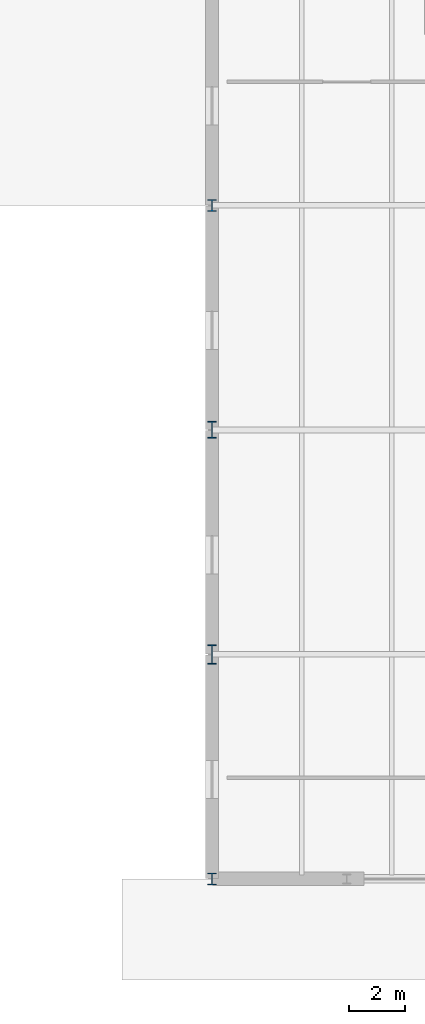
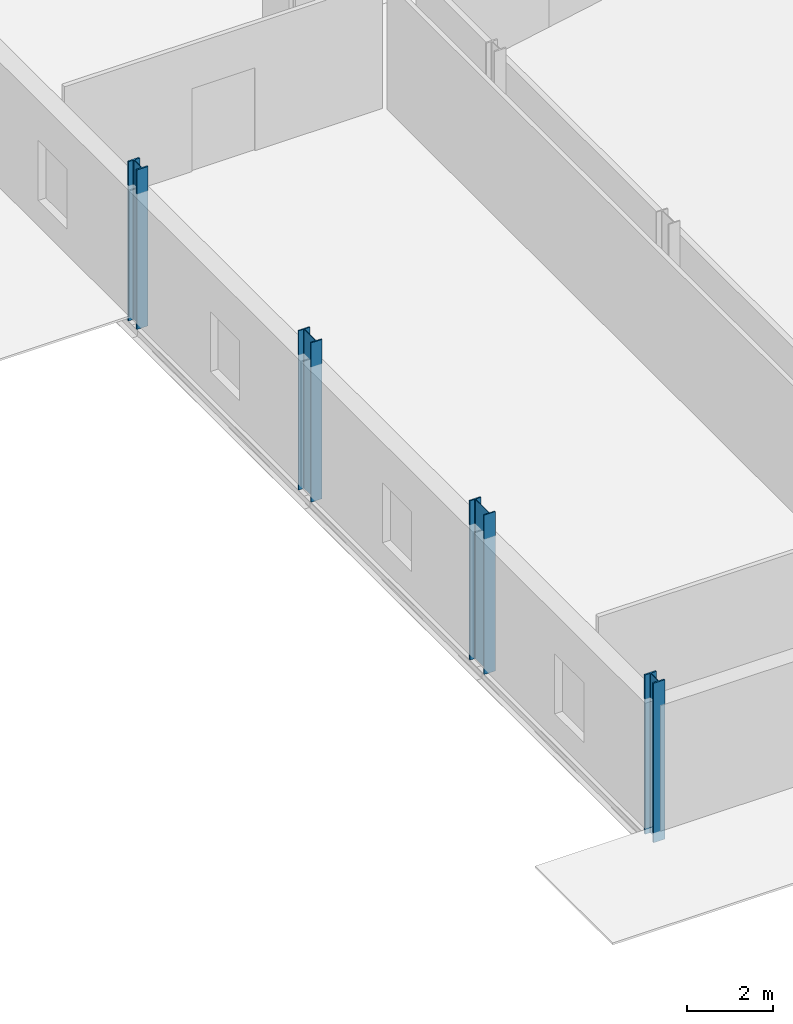
# One storey, part 1 of 78: 4 columns.
"""IFC4 building model written with IfcOpenShell, lengths in metres."""

from ifc_helpers import new_model, si_unit, direction, frame, origin, origin_2d, place, context, subcontext, project, spatial, i_section, extrude, material, material_profile, profile_set, type_object, element, save


model = new_model("IFC4")

# Units and contexts
model_context = context("Model", 3, precision=1e-05, world=origin(), true_north=direction((0.0, 1.0)))
body_context = subcontext(model_context, "Body", "Model", "MODEL_VIEW")
ifc_project = project(units=[si_unit("LENGTHUNIT", "METRE"), si_unit("AREAUNIT", "SQUARE_METRE"), si_unit("VOLUMEUNIT", "CUBIC_METRE"), si_unit("PLANEANGLEUNIT", "RADIAN"), si_unit("MASSUNIT", "GRAM", prefix="KILO")], contexts=[model_context])

# Site, building, storey
site_placement = place(None, origin())
site = spatial("IfcSite", under=ifc_project, at=site_placement, CompositionType="ELEMENT")
building_placement = place(site_placement, origin())
building = spatial("IfcBuilding", under=site, at=building_placement, Name="Alderhovde Museum", CompositionType="ELEMENT")
storey_placement = place(building_placement, origin())
storey = spatial("IfcBuildingStorey", under=building, at=storey_placement, Name="L00", CompositionType="ELEMENT", Elevation=0.0)

# Columns
ifc_material_1 = material(Name="Steel S355J2", Category="steel")
ifc_material_profile_1 = material_profile(ifc_material_1, i_section(OverallWidth=0.300048828125, OverallDepth=0.60009765625, WebThickness=0.015380859375, FlangeThickness=0.030029296875, FilletRadius=0.027099609375, at=origin_2d()), Name="HEB 600")
ifc_profile_set_1 = profile_set([ifc_material_profile_1], Name="Steel S355J2")
column_type_1 = type_object("IfcColumnType", Name="COL-HEB600", PredefinedType="COLUMN", material=ifc_profile_set_1)
column_1_placement = place(storey_placement, frame((67.199951171875, 16.0, -0.280029296875), z_axis=(0.0, 0.0, 1.0), x_axis=(1.0, 0.0, 0.0)))
element("IfcColumn", 1, at=column_1_placement, inside=storey, type_object=column_type_1, Name="L00 Column (67.2, 16.0)", PredefinedType="COLUMN", context=body_context, shape_type="SweptSolid", body=[
    extrude(i_section(OverallWidth=0.300048828125, OverallDepth=0.60009765625, WebThickness=0.015380859375, FlangeThickness=0.030029296875, FilletRadius=0.027099609375, at=origin_2d()), origin(), (0.0, 0.0, 1.0), 4.52001953125),
])
ifc_material_2 = material(Name="Steel S355J2", Category="steel")
ifc_material_profile_2 = material_profile(ifc_material_2, i_section(OverallWidth=0.300048828125, OverallDepth=0.699951171875, WebThickness=0.01708984375, FlangeThickness=0.031982421875, FilletRadius=0.027099609375, at=origin_2d()), Name="HEB 700")
ifc_profile_set_2 = profile_set([ifc_material_profile_2], Name="Steel S355J2")
column_type_2 = type_object("IfcColumnType", Name="COL-HEB700", PredefinedType="COLUMN", material=ifc_profile_set_2)
column_2_placement = place(storey_placement, frame((67.199951171875, 8.0, -0.280029296875), z_axis=(0.0, 0.0, 1.0), x_axis=(1.0, 0.0, 0.0)))
element("IfcColumn", 2, at=column_2_placement, inside=storey, type_object=column_type_2, Name="L00 Column (67.2, 8.0)", PredefinedType="COLUMN", context=body_context, shape_type="SweptSolid", body=[
    extrude(i_section(OverallWidth=0.300048828125, OverallDepth=0.699951171875, WebThickness=0.01708984375, FlangeThickness=0.031982421875, FilletRadius=0.027099609375, at=origin_2d()), origin(), (0.0, 0.0, 1.0), 4.52001953125),
])
ifc_material_3 = material(Name="Steel S355J2", Category="steel")
ifc_material_profile_3 = material_profile(ifc_material_3, i_section(OverallWidth=0.306884765625, OverallDepth=0.431884765625, WebThickness=0.02099609375, FlangeThickness=0.0400390625, FilletRadius=0.027099609375, at=origin_2d()), Name="HEM 400")
ifc_profile_set_3 = profile_set([ifc_material_profile_3], Name="Steel S355J2")
column_type_3 = type_object("IfcColumnType", Name="COL-HEM400", PredefinedType="COLUMN", material=ifc_profile_set_3)
for number, where, z_axis, x_axis, name in (
    (3, (67.199951171875, 0.0, -0.280029296875), (0.0, 0.0, 1.0), (1.0, 0.0, 0.0), "L00 Column (67.2, 0.0)"),
    (4, (67.199951171875, 24.0, -0.280029296875), (0.0, 0.0, 1.0), (1.0, 0.0, 0.0), "L00 Column (67.2, 24.0)"),
):
    element("IfcColumn", number, at=place(storey_placement, frame(where, z_axis=z_axis, x_axis=x_axis)), inside=storey, type_object=column_type_3, Name=name, PredefinedType="COLUMN", context=body_context, shape_type="SweptSolid", body=[
        extrude(i_section(OverallWidth=0.306884765625, OverallDepth=0.431884765625, WebThickness=0.02099609375, FlangeThickness=0.0400390625, FilletRadius=0.027099609375, at=origin_2d()), origin(), (0.0, 0.0, 1.0), 4.52001953125),
    ])

save(model, "model.ifc")
